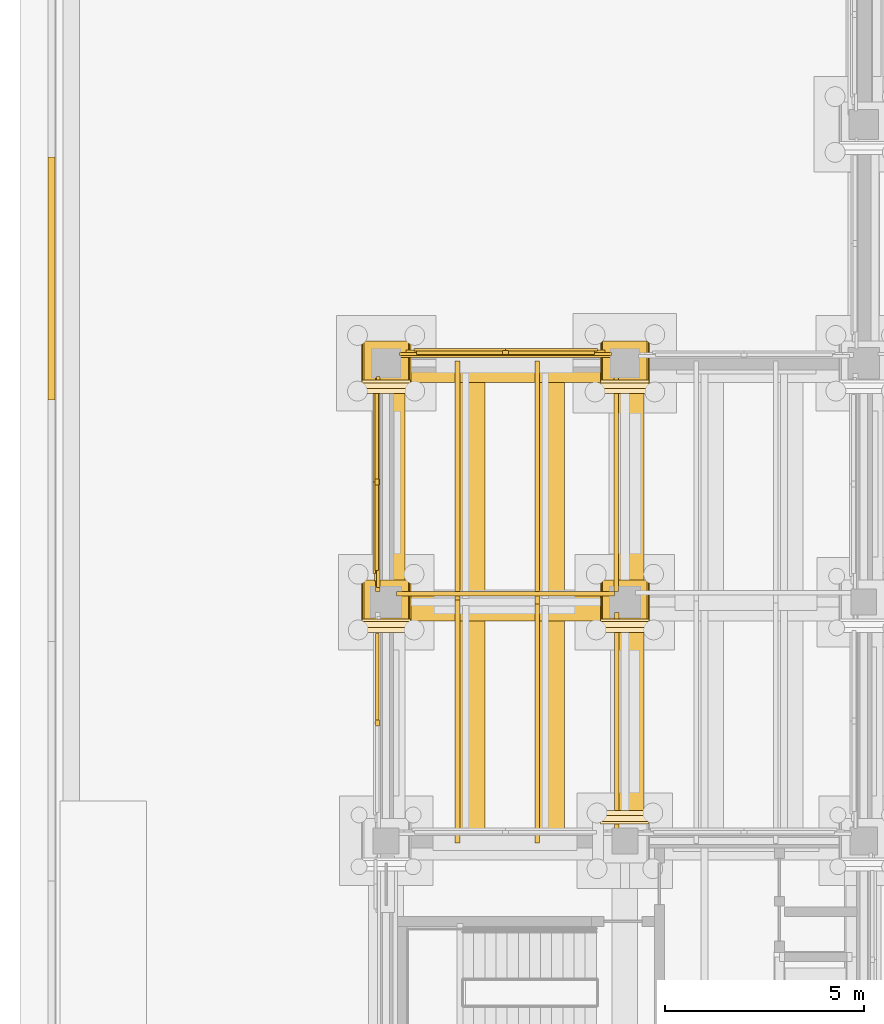
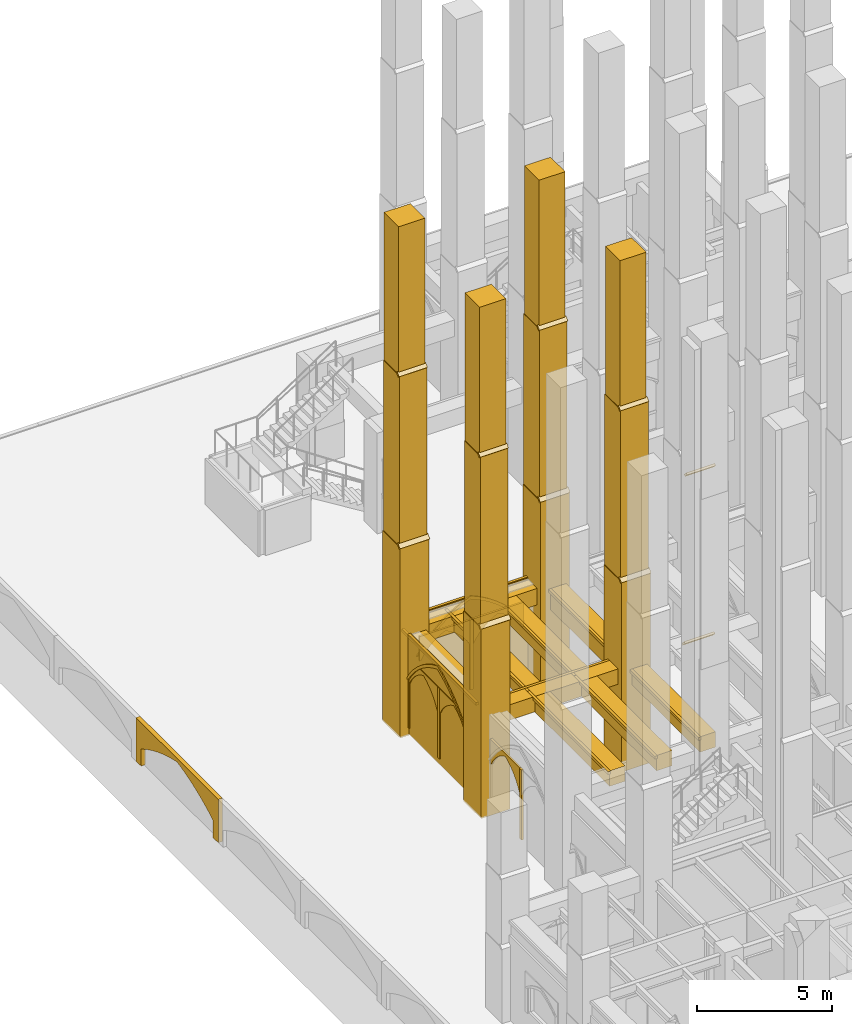
# One storey, part 86 of 135: 55 coverings.
"""IFC4 building model written with IfcOpenShell, lengths in metres."""

from ifc_helpers import new_model, si_unit, direction, frame, origin, origin_2d, place, context, subcontext, project, spatial, polyline, rectangle, outline, extrude, material, type_object, element, save


model = new_model("IFC4")

# Units and contexts
model_context = context("Model", 3, precision=1e-05, world=origin(), true_north=direction((0.0, 1.0)))
body_context = subcontext(model_context, "Body", "Model", "MODEL_VIEW")
ifc_project = project(units=[si_unit("LENGTHUNIT", "METRE"), si_unit("AREAUNIT", "SQUARE_METRE"), si_unit("VOLUMEUNIT", "CUBIC_METRE"), si_unit("PLANEANGLEUNIT", "RADIAN"), si_unit("MASSUNIT", "GRAM", prefix="KILO")], contexts=[model_context])

# Site, building, storey
site_placement = place(None, origin())
site = spatial("IfcSite", under=ifc_project, at=site_placement, CompositionType="ELEMENT")
building_placement = place(site_placement, origin())
building = spatial("IfcBuilding", under=site, at=building_placement, Name="Cumevento Cable Car Station", CompositionType="ELEMENT")
storey_placement = place(building_placement, origin())
storey = spatial("IfcBuildingStorey", under=building, at=storey_placement, Name="L01", CompositionType="ELEMENT", Elevation=0.0)

# Coverings
ifc_material = material(Name="Gnaisse Facoidal Stone Ashlar 85 MPa", Category="masonry")
covering_type = type_object("IfcCoveringType", Name="Gnaisse Ashlar Cladding CV-CL01", PredefinedType="CLADDING", material=ifc_material)
covering_1_placement = place(storey_placement, frame((10.0, 38.909912109375, -0.06005859375), z_axis=(0.0, 0.0, 1.0), x_axis=(1.0, 0.0, 0.0)))
element("IfcCovering", 1, at=covering_1_placement, inside=storey, type_object=covering_type, Name="Stepped Gothic Stone Buttress Tier 1 bt:10.0:39.0", PredefinedType="CLADDING", context=body_context, shape_type="SweptSolid", body=[
    extrude(rectangle(XDim=1.239990234375, YDim=1.300048828125, at=origin_2d()), origin(), (0.0, 0.0, 1.0), 8.595703125),
])
covering_2_placement = place(storey_placement, frame((9.360107421875, 38.239990234375, 8.515625), z_axis=(0.0, -0.711135781079, 0.703054692658), x_axis=(1.0, 0.0, 0.0)))
element("IfcCovering", 2, at=covering_2_placement, inside=storey, type_object=covering_type, Name="Gothic Buttress Sloped Stone Weathering 1 bt:10.0:39.0", PredefinedType="CLADDING", context=body_context, shape_type="SweptSolid", body=[
    extrude(outline(polyline([(0.0, 0.0), (1.27978515625, 0.0), (1.27978515625, 0.24169083397703695), (0.0, 0.24169083397703695), (0.0, 0.0)])), origin(), (0.0, 0.0, -1.0), 0.090087890625),
])
covering_3_placement = place(storey_placement, frame((10.0, 38.969970703125, 8.0830078125), z_axis=(0.0, 0.0, 1.0), x_axis=(1.0, 0.0, 0.0)))
element("IfcCovering", 3, at=covering_3_placement, inside=storey, type_object=covering_type, Name="Stepped Gothic Stone Buttress Tier 2 bt:10.0:39.0", PredefinedType="CLADDING", context=body_context, shape_type="SweptSolid", body=[
    extrude(rectangle(XDim=1.179931640625, YDim=1.179931640625, at=origin_2d()), origin(), (0.0, 0.0, 1.0), 8.143310546875),
])
covering_4_placement = place(storey_placement, frame((9.389892578125, 38.360107421875, 16.206298828125), z_axis=(0.0, -0.714474823669, 0.699661151089), x_axis=(1.0, 0.0, 0.0)))
element("IfcCovering", 4, at=covering_4_placement, inside=storey, type_object=covering_type, Name="Gothic Buttress Sloped Stone Weathering 2 bt:10.0:39.0", PredefinedType="CLADDING", context=body_context, shape_type="SweptSolid", body=[
    extrude(outline(polyline([(0.0, 0.0), (1.22021484375, 0.0), (1.22021484375, 0.21424991728737655), (0.0, 0.21424991728737655), (0.0, 0.0)])), origin(), (0.0, 0.0, -1.0), 0.090087890625),
])
covering_5_placement = place(storey_placement, frame((10.0, 39.02001953125, 15.77392578125), z_axis=(0.0, 0.0, 1.0), x_axis=(1.0, 0.0, 0.0)))
element("IfcCovering", 5, at=covering_5_placement, inside=storey, type_object=covering_type, Name="Stepped Gothic Stone Buttress Tier 3 bt:10.0:39.0", PredefinedType="CLADDING", context=body_context, shape_type="SweptSolid", body=[
    extrude(rectangle(XDim=1.1201171875, YDim=1.080078125, at=origin_2d()), origin(), (0.0, 0.0, 1.0), 7.1259765625),
])
covering_6_placement = place(storey_placement, frame((10.0, 44.909912109375, -0.06005859375), z_axis=(0.0, 0.0, 1.0), x_axis=(1.0, 0.0, 0.0)))
element("IfcCovering", 6, at=covering_6_placement, inside=storey, type_object=covering_type, Name="Stepped Gothic Stone Buttress Tier 1 bt:10.0:45.0", PredefinedType="CLADDING", context=body_context, shape_type="SweptSolid", body=[
    extrude(rectangle(XDim=1.239990234375, YDim=1.300048828125, at=origin_2d()), origin(), (0.0, 0.0, 1.0), 8.595703125),
])
covering_7_placement = place(storey_placement, frame((9.360107421875, 44.239990234375, 8.515625), z_axis=(0.0, -0.711135781079, 0.703054692658), x_axis=(1.0, 0.0, 0.0)))
element("IfcCovering", 7, at=covering_7_placement, inside=storey, type_object=covering_type, Name="Gothic Buttress Sloped Stone Weathering 1 bt:10.0:45.0", PredefinedType="CLADDING", context=body_context, shape_type="SweptSolid", body=[
    extrude(outline(polyline([(0.0, 0.0), (1.27978515625, 0.0), (1.27978515625, 0.24169083397703695), (0.0, 0.24169083397703695), (0.0, 0.0)])), origin(), (0.0, 0.0, -1.0), 0.090087890625),
])
covering_8_placement = place(storey_placement, frame((10.0, 44.969970703125, 8.0830078125), z_axis=(0.0, 0.0, 1.0), x_axis=(1.0, 0.0, 0.0)))
element("IfcCovering", 8, at=covering_8_placement, inside=storey, type_object=covering_type, Name="Stepped Gothic Stone Buttress Tier 2 bt:10.0:45.0", PredefinedType="CLADDING", context=body_context, shape_type="SweptSolid", body=[
    extrude(rectangle(XDim=1.179931640625, YDim=1.179931640625, at=origin_2d()), origin(), (0.0, 0.0, 1.0), 8.143310546875),
])
covering_9_placement = place(storey_placement, frame((9.389892578125, 44.360107421875, 16.206298828125), z_axis=(0.0, -0.714474823669, 0.699661151089), x_axis=(1.0, 0.0, 0.0)))
element("IfcCovering", 9, at=covering_9_placement, inside=storey, type_object=covering_type, Name="Gothic Buttress Sloped Stone Weathering 2 bt:10.0:45.0", PredefinedType="CLADDING", context=body_context, shape_type="SweptSolid", body=[
    extrude(outline(polyline([(0.0, 0.0), (1.22021484375, 0.0), (1.22021484375, 0.21424991728737655), (0.0, 0.21424991728737655), (0.0, 0.0)])), origin(), (0.0, 0.0, -1.0), 0.090087890625),
])
covering_10_placement = place(storey_placement, frame((10.0, 45.02001953125, 15.77392578125), z_axis=(0.0, 0.0, 1.0), x_axis=(1.0, 0.0, 0.0)))
element("IfcCovering", 10, at=covering_10_placement, inside=storey, type_object=covering_type, Name="Stepped Gothic Stone Buttress Tier 3 bt:10.0:45.0", PredefinedType="CLADDING", context=body_context, shape_type="SweptSolid", body=[
    extrude(rectangle(XDim=1.1201171875, YDim=1.080078125, at=origin_2d()), origin(), (0.0, 0.0, 1.0), 7.1259765625),
])
covering_11_placement = place(storey_placement, frame((16.639892578125, 33.760009765625, 8.515625), z_axis=(0.0, 0.711135781079, 0.703054692658), x_axis=(-1.0, 0.0, 0.0)))
element("IfcCovering", 11, at=covering_11_placement, inside=storey, type_object=covering_type, Name="Gothic Buttress Sloped Stone Weathering 1 bt:16.0:33.0", PredefinedType="CLADDING", context=body_context, shape_type="SweptSolid", body=[
    extrude(outline(polyline([(0.0, 0.0), (1.27978515625, 0.0), (1.27978515625, 0.24169083397703695), (0.0, 0.24169083397703695), (0.0, 0.0)])), origin(), (0.0, 0.0, -1.0), 0.090087890625),
])
covering_12_placement = place(storey_placement, frame((16.610107421875, 33.639892578125, 16.206298828125), z_axis=(0.0, 0.714474823669, 0.699661151089), x_axis=(-1.0, 0.0, 0.0)))
element("IfcCovering", 12, at=covering_12_placement, inside=storey, type_object=covering_type, Name="Gothic Buttress Sloped Stone Weathering 2 bt:16.0:33.0", PredefinedType="CLADDING", context=body_context, shape_type="SweptSolid", body=[
    extrude(outline(polyline([(0.0, 0.0), (1.22021484375, 0.0), (1.22021484375, 0.21424991728737655), (0.0, 0.21424991728737655), (0.0, 0.0)])), origin(), (0.0, 0.0, -1.0), 0.090087890625),
])
covering_13_placement = place(storey_placement, frame((16.0, 38.909912109375, -0.06005859375), z_axis=(0.0, 0.0, 1.0), x_axis=(1.0, 0.0, 0.0)))
element("IfcCovering", 13, at=covering_13_placement, inside=storey, type_object=covering_type, Name="Stepped Gothic Stone Buttress Tier 1 bt:16.0:39.0", PredefinedType="CLADDING", context=body_context, shape_type="SweptSolid", body=[
    extrude(rectangle(XDim=1.239990234375, YDim=1.300048828125, at=origin_2d()), origin(), (0.0, 0.0, 1.0), 8.595703125),
])
covering_14_placement = place(storey_placement, frame((15.360107421875, 38.239990234375, 8.515625), z_axis=(0.0, -0.711135781079, 0.703054692658), x_axis=(1.0, 0.0, 0.0)))
element("IfcCovering", 14, at=covering_14_placement, inside=storey, type_object=covering_type, Name="Gothic Buttress Sloped Stone Weathering 1 bt:16.0:39.0", PredefinedType="CLADDING", context=body_context, shape_type="SweptSolid", body=[
    extrude(outline(polyline([(0.0, 0.0), (1.27978515625, 0.0), (1.27978515625, 0.24169083397703695), (0.0, 0.24169083397703695), (0.0, 0.0)])), origin(), (0.0, 0.0, -1.0), 0.090087890625),
])
covering_15_placement = place(storey_placement, frame((16.0, 38.969970703125, 8.0830078125), z_axis=(0.0, 0.0, 1.0), x_axis=(1.0, 0.0, 0.0)))
element("IfcCovering", 15, at=covering_15_placement, inside=storey, type_object=covering_type, Name="Stepped Gothic Stone Buttress Tier 2 bt:16.0:39.0", PredefinedType="CLADDING", context=body_context, shape_type="SweptSolid", body=[
    extrude(rectangle(XDim=1.179931640625, YDim=1.179931640625, at=origin_2d()), origin(), (0.0, 0.0, 1.0), 8.143310546875),
])
covering_16_placement = place(storey_placement, frame((15.389892578125, 38.360107421875, 16.206298828125), z_axis=(0.0, -0.714474823669, 0.699661151089), x_axis=(1.0, 0.0, 0.0)))
element("IfcCovering", 16, at=covering_16_placement, inside=storey, type_object=covering_type, Name="Gothic Buttress Sloped Stone Weathering 2 bt:16.0:39.0", PredefinedType="CLADDING", context=body_context, shape_type="SweptSolid", body=[
    extrude(outline(polyline([(0.0, 0.0), (1.22021484375, 0.0), (1.22021484375, 0.21424991728737655), (0.0, 0.21424991728737655), (0.0, 0.0)])), origin(), (0.0, 0.0, -1.0), 0.090087890625),
])
covering_17_placement = place(storey_placement, frame((16.0, 39.02001953125, 15.77392578125), z_axis=(0.0, 0.0, 1.0), x_axis=(1.0, 0.0, 0.0)))
element("IfcCovering", 17, at=covering_17_placement, inside=storey, type_object=covering_type, Name="Stepped Gothic Stone Buttress Tier 3 bt:16.0:39.0", PredefinedType="CLADDING", context=body_context, shape_type="SweptSolid", body=[
    extrude(rectangle(XDim=1.1201171875, YDim=1.080078125, at=origin_2d()), origin(), (0.0, 0.0, 1.0), 7.1259765625),
])
covering_18_placement = place(storey_placement, frame((16.0, 44.909912109375, -0.06005859375), z_axis=(0.0, 0.0, 1.0), x_axis=(1.0, 0.0, 0.0)))
element("IfcCovering", 18, at=covering_18_placement, inside=storey, type_object=covering_type, Name="Stepped Gothic Stone Buttress Tier 1 bt:16.0:45.0", PredefinedType="CLADDING", context=body_context, shape_type="SweptSolid", body=[
    extrude(rectangle(XDim=1.239990234375, YDim=1.300048828125, at=origin_2d()), origin(), (0.0, 0.0, 1.0), 8.595703125),
])
covering_19_placement = place(storey_placement, frame((15.360107421875, 44.239990234375, 8.515625), z_axis=(0.0, -0.711135781079, 0.703054692658), x_axis=(1.0, 0.0, 0.0)))
element("IfcCovering", 19, at=covering_19_placement, inside=storey, type_object=covering_type, Name="Gothic Buttress Sloped Stone Weathering 1 bt:16.0:45.0", PredefinedType="CLADDING", context=body_context, shape_type="SweptSolid", body=[
    extrude(outline(polyline([(0.0, 0.0), (1.27978515625, 0.0), (1.27978515625, 0.24169083397703695), (0.0, 0.24169083397703695), (0.0, 0.0)])), origin(), (0.0, 0.0, -1.0), 0.090087890625),
])
covering_20_placement = place(storey_placement, frame((16.0, 44.969970703125, 8.0830078125), z_axis=(0.0, 0.0, 1.0), x_axis=(1.0, 0.0, 0.0)))
element("IfcCovering", 20, at=covering_20_placement, inside=storey, type_object=covering_type, Name="Stepped Gothic Stone Buttress Tier 2 bt:16.0:45.0", PredefinedType="CLADDING", context=body_context, shape_type="SweptSolid", body=[
    extrude(rectangle(XDim=1.179931640625, YDim=1.179931640625, at=origin_2d()), origin(), (0.0, 0.0, 1.0), 8.143310546875),
])
covering_21_placement = place(storey_placement, frame((15.389892578125, 44.360107421875, 16.206298828125), z_axis=(0.0, -0.714474823669, 0.699661151089), x_axis=(1.0, 0.0, 0.0)))
element("IfcCovering", 21, at=covering_21_placement, inside=storey, type_object=covering_type, Name="Gothic Buttress Sloped Stone Weathering 2 bt:16.0:45.0", PredefinedType="CLADDING", context=body_context, shape_type="SweptSolid", body=[
    extrude(outline(polyline([(0.0, 0.0), (1.22021484375, 0.0), (1.22021484375, 0.21424991728737655), (0.0, 0.21424991728737655), (0.0, 0.0)])), origin(), (0.0, 0.0, -1.0), 0.090087890625),
])
covering_22_placement = place(storey_placement, frame((16.0, 45.02001953125, 15.77392578125), z_axis=(0.0, 0.0, 1.0), x_axis=(1.0, 0.0, 0.0)))
element("IfcCovering", 22, at=covering_22_placement, inside=storey, type_object=covering_type, Name="Stepped Gothic Stone Buttress Tier 3 bt:16.0:45.0", PredefinedType="CLADDING", context=body_context, shape_type="SweptSolid", body=[
    extrude(rectangle(XDim=1.1201171875, YDim=1.080078125, at=origin_2d()), origin(), (0.0, 0.0, 1.0), 7.1259765625),
])
covering_23_placement = place(storey_placement, frame((13.0, 38.851318359375, 3.755859375), z_axis=(0.0, 0.0, 1.0), x_axis=(1.0, 0.0, 0.0)))
element("IfcCovering", 23, at=covering_23_placement, inside=storey, type_object=covering_type, Name="Gothic Stone Spandrel Stringcourse sc:0066", PredefinedType="CLADDING", context=body_context, shape_type="SweptSolid", body=[
    extrude(rectangle(XDim=5.43994140625, YDim=0.66259765625, at=origin_2d()), origin(), (0.0, 0.0, 1.0), 0.694091796875),
])
covering_24_placement = place(storey_placement, frame((13.0, 39.2099609375, 4.320068359375), z_axis=(0.0, 0.0, 1.0), x_axis=(1.0, 0.0, 0.0)))
element("IfcCovering", 24, at=covering_24_placement, inside=storey, type_object=covering_type, Name="Gothic Cornice Dripstone Lip sc:0066", PredefinedType="CLADDING", context=body_context, shape_type="SweptSolid", body=[
    extrude(rectangle(XDim=5.47998046875, YDim=0.114990234375, at=origin_2d()), origin(), (0.0, 0.0, 1.0), 0.1298828125),
])
covering_25_placement = place(storey_placement, frame((13.0, 44.85009765625, 3.702880859375), z_axis=(0.0, 0.0, 1.0), x_axis=(1.0, 0.0, 0.0)))
element("IfcCovering", 25, at=covering_25_placement, inside=storey, type_object=covering_type, Name="Gothic Stone Spandrel Stringcourse sc:0068", PredefinedType="CLADDING", context=body_context, shape_type="SweptSolid", body=[
    extrude(rectangle(XDim=5.489990234375, YDim=0.659912109375, at=origin_2d()), origin(), (0.0, 0.0, 1.0), 0.7470703125),
])
covering_26_placement = place(storey_placement, frame((13.0, 45.20751953125, 4.320068359375), z_axis=(0.0, 0.0, 1.0), x_axis=(1.0, 0.0, 0.0)))
element("IfcCovering", 26, at=covering_26_placement, inside=storey, type_object=covering_type, Name="Gothic Cornice Dripstone Lip sc:0068", PredefinedType="CLADDING", context=body_context, shape_type="SweptSolid", body=[
    extrude(rectangle(XDim=5.530029296875, YDim=0.114990234375, at=origin_2d()), origin(), (0.0, 0.0, 1.0), 0.1298828125),
])
covering_27_placement = place(storey_placement, frame((10.14990234375, 42.012451171875, 3.702880859375), z_axis=(0.0, 0.0, 1.0), x_axis=(0.0, 1.0, 0.0)))
element("IfcCovering", 27, at=covering_27_placement, inside=storey, type_object=covering_type, Name="Gothic Stone Spandrel Stringcourse sc:0071", PredefinedType="CLADDING", context=body_context, shape_type="SweptSolid", body=[
    extrude(rectangle(XDim=5.465087890625, YDim=0.659912109375, at=origin_2d()), origin(), (0.0, 0.0, 1.0), 0.7470703125),
])
covering_28_placement = place(storey_placement, frame((9.79248046875, 42.012451171875, 4.320068359375), z_axis=(0.0, 0.0, 1.0), x_axis=(0.0, 1.0, 0.0)))
element("IfcCovering", 28, at=covering_28_placement, inside=storey, type_object=covering_type, Name="Gothic Cornice Dripstone Lip sc:0071", PredefinedType="CLADDING", context=body_context, shape_type="SweptSolid", body=[
    extrude(rectangle(XDim=5.5048828125, YDim=0.114990234375, at=origin_2d()), origin(), (0.0, 0.0, 1.0), 0.1298828125),
])
covering_29_placement = place(storey_placement, frame((16.148681640625, 35.96240234375, 3.755859375), z_axis=(0.0, 0.0, 1.0), x_axis=(0.0, 1.0, 0.0)))
element("IfcCovering", 29, at=covering_29_placement, inside=storey, type_object=covering_type, Name="Gothic Stone Spandrel Stringcourse sc:0072", PredefinedType="CLADDING", context=body_context, shape_type="SweptSolid", body=[
    extrude(rectangle(XDim=5.514892578125, YDim=0.66259765625, at=origin_2d()), origin(), (0.0, 0.0, 1.0), 0.694091796875),
])
covering_30_placement = place(storey_placement, frame((15.7900390625, 35.96240234375, 4.320068359375), z_axis=(0.0, 0.0, 1.0), x_axis=(0.0, 1.0, 0.0)))
element("IfcCovering", 30, at=covering_30_placement, inside=storey, type_object=covering_type, Name="Gothic Cornice Dripstone Lip sc:0072", PredefinedType="CLADDING", context=body_context, shape_type="SweptSolid", body=[
    extrude(rectangle(XDim=5.554931640625, YDim=0.114990234375, at=origin_2d()), origin(), (0.0, 0.0, 1.0), 0.1298828125),
])
covering_31_placement = place(storey_placement, frame((16.14306640625, 42.012451171875, 3.501953125), z_axis=(0.0, 0.0, 1.0), x_axis=(0.0, 1.0, 0.0)))
element("IfcCovering", 31, at=covering_31_placement, inside=storey, type_object=covering_type, Name="Gothic Stone Spandrel Stringcourse sc:0073", PredefinedType="CLADDING", context=body_context, shape_type="SweptSolid", body=[
    extrude(rectangle(XDim=5.465087890625, YDim=0.674072265625, at=origin_2d()), origin(), (0.0, 0.0, 1.0), 0.947998046875),
])
covering_32_placement = place(storey_placement, frame((15.778564453125, 42.012451171875, 4.320068359375), z_axis=(0.0, 0.0, 1.0), x_axis=(0.0, 1.0, 0.0)))
element("IfcCovering", 32, at=covering_32_placement, inside=storey, type_object=covering_type, Name="Gothic Cornice Dripstone Lip sc:0073", PredefinedType="CLADDING", context=body_context, shape_type="SweptSolid", body=[
    extrude(rectangle(XDim=5.5048828125, YDim=0.114990234375, at=origin_2d()), origin(), (0.0, 0.0, 1.0), 0.1298828125),
])
covering_33_placement = place(storey_placement, frame((12.14990234375, 35.99951171875, 3.7548828125), z_axis=(0.0, 0.0, 1.0), x_axis=(0.0, 1.0, 0.0)))
element("IfcCovering", 33, at=covering_33_placement, inside=storey, type_object=covering_type, Name="Gothic Stone Spandrel Stringcourse sc:0250", PredefinedType="CLADDING", context=body_context, shape_type="SweptSolid", body=[
    extrude(rectangle(XDim=6.06005859375, YDim=0.659912109375, at=origin_2d()), origin(), (0.0, 0.0, 1.0), 0.695068359375),
])
covering_34_placement = place(storey_placement, frame((11.79248046875, 35.99951171875, 4.320068359375), z_axis=(0.0, 0.0, 1.0), x_axis=(0.0, 1.0, 0.0)))
element("IfcCovering", 34, at=covering_34_placement, inside=storey, type_object=covering_type, Name="Gothic Cornice Dripstone Lip sc:0250", PredefinedType="CLADDING", context=body_context, shape_type="SweptSolid", body=[
    extrude(rectangle(XDim=6.10009765625, YDim=0.114990234375, at=origin_2d()), origin(), (0.0, 0.0, 1.0), 0.1298828125),
])
covering_35_placement = place(storey_placement, frame((12.14990234375, 42.0068359375, 3.7548828125), z_axis=(0.0, 0.0, 1.0), x_axis=(0.0, 1.0, 0.0)))
element("IfcCovering", 35, at=covering_35_placement, inside=storey, type_object=covering_type, Name="Gothic Stone Spandrel Stringcourse sc:0251", PredefinedType="CLADDING", context=body_context, shape_type="SweptSolid", body=[
    extrude(rectangle(XDim=6.072509765625, YDim=0.659912109375, at=origin_2d()), origin(), (0.0, 0.0, 1.0), 0.695068359375),
])
covering_36_placement = place(storey_placement, frame((11.79248046875, 42.0068359375, 4.320068359375), z_axis=(0.0, 0.0, 1.0), x_axis=(0.0, 1.0, 0.0)))
element("IfcCovering", 36, at=covering_36_placement, inside=storey, type_object=covering_type, Name="Gothic Cornice Dripstone Lip sc:0251", PredefinedType="CLADDING", context=body_context, shape_type="SweptSolid", body=[
    extrude(rectangle(XDim=6.112548828125, YDim=0.114990234375, at=origin_2d()), origin(), (0.0, 0.0, 1.0), 0.1298828125),
])
covering_37_placement = place(storey_placement, frame((14.14990234375, 35.99951171875, 3.7548828125), z_axis=(0.0, 0.0, 1.0), x_axis=(0.0, 1.0, 0.0)))
element("IfcCovering", 37, at=covering_37_placement, inside=storey, type_object=covering_type, Name="Gothic Stone Spandrel Stringcourse sc:0252", PredefinedType="CLADDING", context=body_context, shape_type="SweptSolid", body=[
    extrude(rectangle(XDim=6.06005859375, YDim=0.659912109375, at=origin_2d()), origin(), (0.0, 0.0, 1.0), 0.695068359375),
])
covering_38_placement = place(storey_placement, frame((13.79248046875, 35.99951171875, 4.320068359375), z_axis=(0.0, 0.0, 1.0), x_axis=(0.0, 1.0, 0.0)))
element("IfcCovering", 38, at=covering_38_placement, inside=storey, type_object=covering_type, Name="Gothic Cornice Dripstone Lip sc:0252", PredefinedType="CLADDING", context=body_context, shape_type="SweptSolid", body=[
    extrude(rectangle(XDim=6.10009765625, YDim=0.114990234375, at=origin_2d()), origin(), (0.0, 0.0, 1.0), 0.1298828125),
])
covering_39_placement = place(storey_placement, frame((14.14990234375, 42.0068359375, 3.7548828125), z_axis=(0.0, 0.0, 1.0), x_axis=(0.0, 1.0, 0.0)))
element("IfcCovering", 39, at=covering_39_placement, inside=storey, type_object=covering_type, Name="Gothic Stone Spandrel Stringcourse sc:0253", PredefinedType="CLADDING", context=body_context, shape_type="SweptSolid", body=[
    extrude(rectangle(XDim=6.072509765625, YDim=0.659912109375, at=origin_2d()), origin(), (0.0, 0.0, 1.0), 0.695068359375),
])
covering_40_placement = place(storey_placement, frame((13.79248046875, 42.0068359375, 4.320068359375), z_axis=(0.0, 0.0, 1.0), x_axis=(0.0, 1.0, 0.0)))
element("IfcCovering", 40, at=covering_40_placement, inside=storey, type_object=covering_type, Name="Gothic Cornice Dripstone Lip sc:0253", PredefinedType="CLADDING", context=body_context, shape_type="SweptSolid", body=[
    extrude(rectangle(XDim=6.112548828125, YDim=0.114990234375, at=origin_2d()), origin(), (0.0, 0.0, 1.0), 0.1298828125),
])
covering_41_placement = place(storey_placement, frame((10.375, 45.0, 0.0), z_axis=(0.0, 0.0, 1.0), x_axis=(1.0, 0.0, 0.0)))
element("IfcCovering", 41, at=covering_41_placement, inside=storey, type_object=covering_type, Name="Exterior Gnaisse Stone Wall Ashlar #5", PredefinedType="CLADDING", context=body_context, shape_type="SweptSolid", body=[
    extrude(outline(polyline([(-0.0400390625, -0.02001953125), (5.2900390625, -0.02001953125), (5.2900390625, 4.52001953125), (-0.0400390625, 4.52001953125), (-0.0400390625, -0.02001953125)])), frame((0.0, 0.27490234375, 0.0), z_axis=(0.0, -1.0, 0.0), x_axis=(1.0, 0.0, 0.0)), (0.0, 0.0, 1.0), 0.0849609375),
])
placement_1 = place(storey_placement, frame((10.554931640625, 45.0, 0.300048828125), z_axis=(0.0, 0.0, 1.0), x_axis=(1.0, 0.0, 0.0)))
element("IfcCovering", 42, at=placement_1, inside=storey, type_object=covering_type, Name="Gothic Ogival Pointed-Arch Stone Spandrel blind_ogival:0005", PredefinedType="CLADDING", context=body_context, shape_type="SweptSolid", body=[
    extrude(outline(polyline([(-0.050048828125, 0.0), (-0.050048828125, 4.239990234375), (4.93994140625, 4.239990234375), (4.93994140625, 0.0), (4.6298828125, 0.0), (4.6298828125, 2.219970703125), (4.394287109375, 2.556884765625), (4.12939453125, 2.871337890625), (3.8369140625, 3.160400390625), (3.51953125, 3.421630859375), (3.179931640625, 3.6533203125), (2.82080078125, 3.853271484375), (2.445068359375, 4.02001953125), (2.069091796875, 3.853271484375), (1.7099609375, 3.6533203125), (1.370361328125, 3.421630859375), (1.052978515625, 3.160400390625), (0.760498046875, 2.871337890625), (0.49560546875, 2.556884765625), (0.260009765625, 2.219970703125), (0.260009765625, 0.0), (-0.050048828125, 0.0)])), frame((0.0, 0.330078125, 0.0), z_axis=(0.0, -1.0, 0.0), x_axis=(1.0, 0.0, 0.0)), (0.0, 0.0, 1.0), 0.110107421875),
])
covering_43_placement = place(storey_placement, frame((10.554931640625, 45.0, 2.52001953125), z_axis=(0.0, 0.0, 1.0), x_axis=(1.0, 0.0, 0.0)))
element("IfcCovering", 43, at=covering_43_placement, inside=storey, type_object=covering_type, Name="Gothic Pointed Archivolt Hood Moulding blind_ogival:0005", PredefinedType="CLADDING", context=body_context, shape_type="SweptSolid", body=[
    extrude(outline(polyline([(0.260009765625, 0.0), (0.49560546875, 0.3369140625), (0.760498046875, 0.6513671875), (1.052978515625, 0.9404296875), (1.370361328125, 1.20166015625), (1.7099609375, 1.433349609375), (2.069091796875, 1.63330078125), (2.445068359375, 1.800048828125), (2.82080078125, 1.63330078125), (3.179931640625, 1.433349609375), (3.51953125, 1.20166015625), (3.8369140625, 0.9404296875), (4.12939453125, 0.6513671875), (4.394287109375, 0.3369140625), (4.6298828125, 0.0), (4.7509765625, 0.0), (4.506103515625, 0.3642578125), (4.228759765625, 0.70458984375), (3.921142578125, 1.017822265625), (3.5859375, 1.301513671875), (3.226318359375, 1.552978515625), (2.8447265625, 1.77001953125), (2.445068359375, 1.951171875), (2.045166015625, 1.77001953125), (1.66357421875, 1.552978515625), (1.303955078125, 1.301513671875), (0.96875, 1.017822265625), (0.6611328125, 0.70458984375), (0.3837890625, 0.3642578125), (0.138916015625, 0.0), (0.260009765625, 0.0)])), frame((0.0, 0.3720703125, 0.0), z_axis=(0.0, -1.0, 0.0), x_axis=(1.0, 0.0, 0.0)), (0.0, 0.0, 1.0), 0.06689453125),
])
element("IfcCovering", 44, at=placement_1, inside=storey, type_object=covering_type, Name="Gothic Bifora Stone Colonnette blind_ogival:0005 #1", PredefinedType="CLADDING", context=body_context, shape_type="SweptSolid", body=[
    extrude(outline(polyline([(2.3701171875, -0.02001953125), (2.52001953125, -0.02001953125), (2.52001953125, 3.156005859375), (2.3701171875, 3.156005859375), (2.3701171875, -0.02001953125)])), frame((0.0, 0.318115234375, 0.0), z_axis=(0.0, -1.0, 0.0), x_axis=(1.0, 0.0, 0.0)), (0.0, 0.0, 1.0), 0.094970703125),
])
for number, where, z_axis, x_axis, name in (
    (45, (10.784912109375, 45.0, 2.340087890625), (0.0, 0.0, 1.0), (1.0, 0.0, 0.0), "Gothic Ogival Pointed-Arch Stone Spandrel blind_ogival:0005:sub:0"),
    (46, (13.044921875, 45.0, 2.340087890625), (0.0, 0.0, 1.0), (1.0, 0.0, 0.0), "Gothic Ogival Pointed-Arch Stone Spandrel blind_ogival:0005:sub:1"),
):
    element("IfcCovering", number, at=place(storey_placement, frame(where, z_axis=z_axis, x_axis=x_axis)), inside=storey, type_object=covering_type, Name=name, PredefinedType="CLADDING", context=body_context, shape_type="SweptSolid", body=[
        extrude(outline(polyline([(-0.02001953125, 0.0), (-0.02001953125, 1.115966796875), (2.18994140625, 1.115966796875), (2.18994140625, 0.0), (2.1298828125, 0.0), (2.008544921875, 0.21337890625), (1.863037109375, 0.4111328125), (1.695556640625, 0.59033203125), (1.50830078125, 0.7490234375), (1.3037109375, 0.885009765625), (1.0849609375, 0.99609375), (0.8662109375, 0.885009765625), (0.66162109375, 0.7490234375), (0.474365234375, 0.59033203125), (0.306884765625, 0.4111328125), (0.161376953125, 0.21337890625), (0.0400390625, 0.0), (-0.02001953125, 0.0)])), frame((0.0, 0.31396484375, 0.0), z_axis=(0.0, -1.0, 0.0), x_axis=(1.0, 0.0, 0.0)), (0.0, 0.0, 1.0), 0.090087890625),
    ])
covering_45_placement = place(storey_placement, frame((10.0, 33.5048828125, 0.300048828125), z_axis=(0.0, 0.0, 1.0), x_axis=(0.0, 1.0, 0.0)))
element("IfcCovering", 47, at=covering_45_placement, inside=storey, type_object=covering_type, Name="Gothic Bifora Stone Colonnette blind_ogival:0007 #1", PredefinedType="CLADDING", context=body_context, shape_type="SweptSolid", body=[
    extrude(outline(polyline([(2.382568359375, -0.02001953125), (2.532470703125, -0.02001953125), (2.532470703125, 3.156005859375), (2.382568359375, 3.156005859375), (2.382568359375, -0.02001953125)])), frame((0.0, 0.26806640625, 0.0), z_axis=(0.0, -1.0, 0.0), x_axis=(1.0, 0.0, 0.0)), (0.0, 0.0, 1.0), 0.094970703125),
])
covering_46_placement = place(storey_placement, frame((10.0, 36.007568359375, 2.340087890625), z_axis=(0.0, 0.0, 1.0), x_axis=(0.0, 1.0, 0.0)))
element("IfcCovering", 48, at=covering_46_placement, inside=storey, type_object=covering_type, Name="Gothic Ogival Pointed-Arch Stone Spandrel blind_ogival:0007:sub:1", PredefinedType="CLADDING", context=body_context, shape_type="SweptSolid", body=[
    extrude(outline(polyline([(-0.02001953125, 0.0), (-0.02001953125, 1.115966796875), (2.202392578125, 1.115966796875), (2.202392578125, 0.0), (2.142578125, 0.0), (2.02001953125, 0.21337890625), (1.873291015625, 0.4111328125), (1.704833984375, 0.590576171875), (1.5166015625, 0.749267578125), (1.31103515625, 0.885009765625), (1.09130859375, 0.99609375), (0.87158203125, 0.885009765625), (0.666015625, 0.749267578125), (0.477783203125, 0.590576171875), (0.309326171875, 0.4111328125), (0.16259765625, 0.21337890625), (0.0400390625, 0.0), (-0.02001953125, 0.0)])), frame((0.0, 0.263916015625, 0.0), z_axis=(0.0, -1.0, 0.0), x_axis=(1.0, 0.0, 0.0)), (0.0, 0.0, 1.0), 0.090087890625),
])
covering_47_placement = place(storey_placement, frame((10.0, 39.39990234375, 0.0), z_axis=(0.0, 0.0, 1.0), x_axis=(0.0, 1.0, 0.0)))
element("IfcCovering", 49, at=covering_47_placement, inside=storey, type_object=covering_type, Name="Exterior Gnaisse Stone Wall Ashlar #8", PredefinedType="CLADDING", context=body_context, shape_type="SweptSolid", body=[
    extrude(outline(polyline([(-0.0400390625, -0.02001953125), (5.264892578125, -0.02001953125), (5.264892578125, 4.52001953125), (-0.0400390625, 4.52001953125), (-0.0400390625, -0.02001953125)])), frame((0.0, 0.237548828125, 0.0), z_axis=(0.0, -1.0, 0.0), x_axis=(1.0, 0.0, 0.0)), (0.0, 0.0, 1.0), 0.0849609375),
])
placement_2 = place(storey_placement, frame((10.0, 39.580078125, 0.300048828125), z_axis=(0.0, 0.0, 1.0), x_axis=(0.0, 1.0, 0.0)))
element("IfcCovering", 50, at=placement_2, inside=storey, type_object=covering_type, Name="Gothic Ogival Pointed-Arch Stone Spandrel blind_ogival:0008", PredefinedType="CLADDING", context=body_context, shape_type="SweptSolid", body=[
    extrude(outline(polyline([(-0.050048828125, 0.0), (-0.050048828125, 4.239990234375), (4.9150390625, 4.239990234375), (4.9150390625, 0.0), (4.60498046875, 0.0), (4.60498046875, 2.219970703125), (4.37158203125, 2.556884765625), (4.1083984375, 2.87109375), (3.81787109375, 3.159912109375), (3.50244140625, 3.42138671875), (3.16455078125, 3.653076171875), (2.806884765625, 3.853271484375), (2.4326171875, 4.02001953125), (2.05810546875, 3.853271484375), (1.700439453125, 3.653076171875), (1.362548828125, 3.42138671875), (1.047119140625, 3.159912109375), (0.756591796875, 2.87109375), (0.493408203125, 2.556884765625), (0.260009765625, 2.219970703125), (0.260009765625, 0.0), (-0.050048828125, 0.0)])), frame((0.0, 0.29248046875, 0.0), z_axis=(0.0, -1.0, 0.0), x_axis=(1.0, 0.0, 0.0)), (0.0, 0.0, 1.0), 0.110107421875),
])
covering_49_placement = place(storey_placement, frame((10.0, 39.580078125, 2.52001953125), z_axis=(0.0, 0.0, 1.0), x_axis=(0.0, 1.0, 0.0)))
element("IfcCovering", 51, at=covering_49_placement, inside=storey, type_object=covering_type, Name="Gothic Pointed Archivolt Hood Moulding blind_ogival:0008", PredefinedType="CLADDING", context=body_context, shape_type="SweptSolid", body=[
    extrude(outline(polyline([(0.260009765625, 0.0), (0.493408203125, 0.3369140625), (0.756591796875, 0.651123046875), (1.047119140625, 0.93994140625), (1.362548828125, 1.201416015625), (1.700439453125, 1.43310546875), (2.05810546875, 1.63330078125), (2.4326171875, 1.800048828125), (2.806884765625, 1.63330078125), (3.16455078125, 1.43310546875), (3.50244140625, 1.201416015625), (3.81787109375, 0.93994140625), (4.1083984375, 0.651123046875), (4.37158203125, 0.3369140625), (4.60498046875, 0.0), (4.72607421875, 0.0), (4.483154296875, 0.3642578125), (4.207763671875, 0.704345703125), (3.902099609375, 1.017578125), (3.56884765625, 1.301025390625), (3.210693359375, 1.552734375), (2.830810546875, 1.77001953125), (2.4326171875, 1.951171875), (2.0341796875, 1.77001953125), (1.654296875, 1.552734375), (1.296142578125, 1.301025390625), (0.962890625, 1.017578125), (0.6572265625, 0.704345703125), (0.3818359375, 0.3642578125), (0.138916015625, 0.0), (0.260009765625, 0.0)])), frame((0.0, 0.33447265625, 0.0), z_axis=(0.0, -1.0, 0.0), x_axis=(1.0, 0.0, 0.0)), (0.0, 0.0, 1.0), 0.06689453125),
])
element("IfcCovering", 52, at=placement_2, inside=storey, type_object=covering_type, Name="Gothic Bifora Stone Colonnette blind_ogival:0008 #1", PredefinedType="CLADDING", context=body_context, shape_type="SweptSolid", body=[
    extrude(outline(polyline([(2.357421875, -0.02001953125), (2.507568359375, -0.02001953125), (2.507568359375, 3.156005859375), (2.357421875, 3.156005859375), (2.357421875, -0.02001953125)])), frame((0.0, 0.280517578125, 0.0), z_axis=(0.0, -1.0, 0.0), x_axis=(1.0, 0.0, 0.0)), (0.0, 0.0, 1.0), 0.094970703125),
])
for number, where, z_axis, x_axis, name in (
    (53, (10.0, 39.81005859375, 2.340087890625), (0.0, 0.0, 1.0), (0.0, 1.0, 0.0), "Gothic Ogival Pointed-Arch Stone Spandrel blind_ogival:0008:sub:0"),
    (54, (10.0, 42.0576171875, 2.340087890625), (0.0, 0.0, 1.0), (0.0, 1.0, 0.0), "Gothic Ogival Pointed-Arch Stone Spandrel blind_ogival:0008:sub:1"),
):
    element("IfcCovering", number, at=place(storey_placement, frame(where, z_axis=z_axis, x_axis=x_axis)), inside=storey, type_object=covering_type, Name=name, PredefinedType="CLADDING", context=body_context, shape_type="SweptSolid", body=[
        extrude(outline(polyline([(-0.02001953125, 0.0), (-0.02001953125, 1.115966796875), (2.177490234375, 1.115966796875), (2.177490234375, 0.0), (2.117431640625, 0.0), (1.997314453125, 0.213134765625), (1.85302734375, 0.410888671875), (1.6865234375, 0.59033203125), (1.500244140625, 0.7490234375), (1.296875, 0.884765625), (1.078857421875, 0.99609375), (0.860595703125, 0.884765625), (0.6572265625, 0.7490234375), (0.470947265625, 0.59033203125), (0.304443359375, 0.410888671875), (0.16015625, 0.213134765625), (0.0400390625, 0.0), (-0.02001953125, 0.0)])), frame((0.0, 0.276611328125, 0.0), z_axis=(0.0, -1.0, 0.0), x_axis=(1.0, 0.0, 0.0)), (0.0, 0.0, 1.0), 0.090087890625),
    ])
covering_51_placement = place(storey_placement, frame((1.64990234375, 44.095458984375, -1.919921875), z_axis=(0.0, 0.0, 1.0), x_axis=(0.0, 1.0, 0.0)))
element("IfcCovering", 55, at=covering_51_placement, inside=storey, type_object=covering_type, Name="Gothic Ogival Pointed-Arch Stone Spandrel cumevento_plinth:plinth_arch:W:3", PredefinedType="CLADDING", context=body_context, shape_type="SweptSolid", body=[
    extrude(outline(polyline([(-0.02001953125, 0.0), (-0.02001953125, 1.9599609375), (6.083740234375, 1.9599609375), (6.083740234375, 0.0), (5.70361328125, 0.0), (5.70361328125, 0.77001953125), (5.284912109375, 1.003662109375), (4.853759765625, 1.21337890625), (4.41162109375, 1.3984375), (3.95947265625, 1.55810546875), (3.4990234375, 1.692138671875), (3.03173828125, 1.800048828125), (2.564697265625, 1.692138671875), (2.104248046875, 1.55810546875), (1.652099609375, 1.3984375), (1.2099609375, 1.21337890625), (0.77880859375, 1.003662109375), (0.360107421875, 0.77001953125), (0.360107421875, 0.0), (-0.02001953125, 0.0)])), frame((0.0, 0.14990234375, 0.0), z_axis=(0.0, -1.0, 0.0), x_axis=(1.0, 0.0, 0.0)), (0.0, 0.0, 1.0), 0.179931640625),
])

save(model, "model.ifc")
